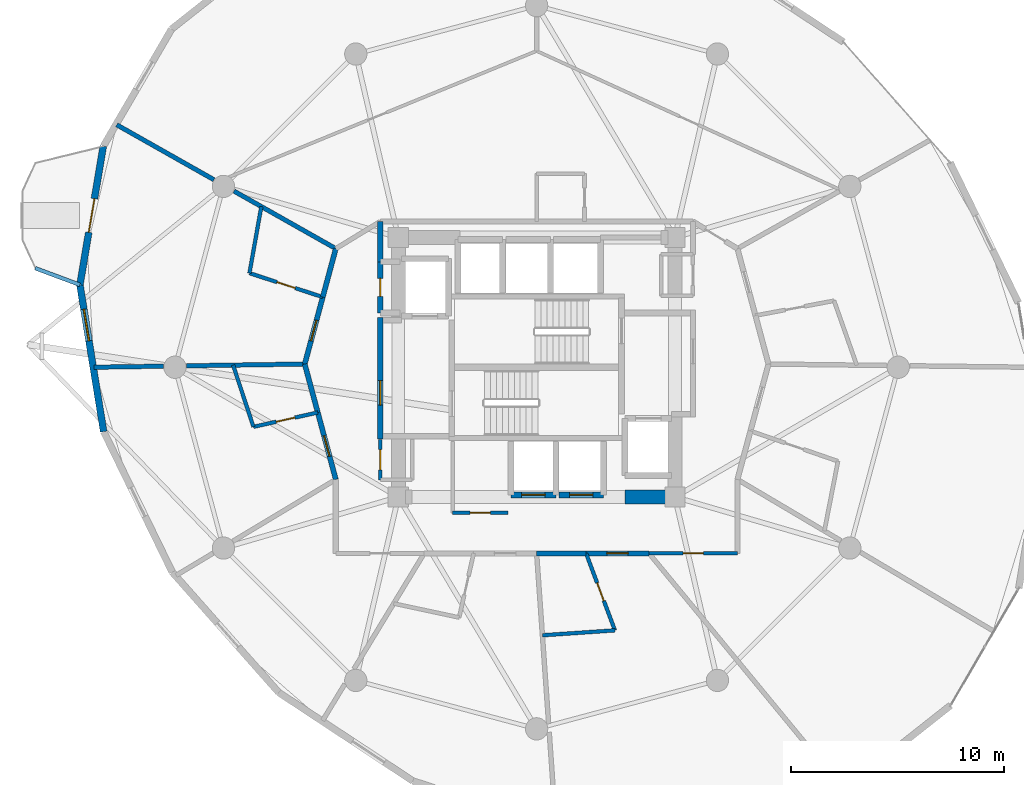
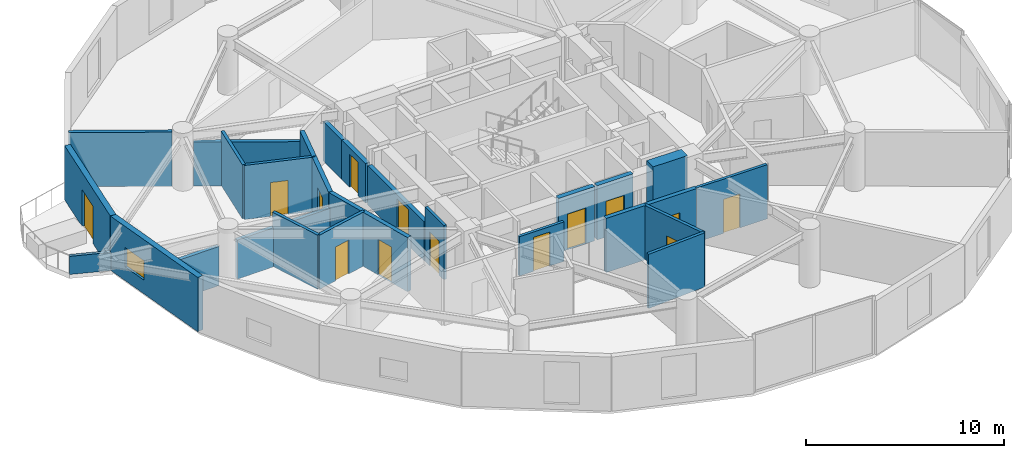
# One storey, part 15 of 20: 28 walls, 14 doors, 1 window, 15 openings.
"""IFC4 building model written with IfcOpenShell, lengths in metres."""

from ifc_helpers import new_model, si_unit, direction, frame, frame_2d, origin, place, context, subcontext, project, spatial, rectangle, extrude, material, layer, layer_set, type_object, element, fill, save


model = new_model("IFC4")

# Units and contexts
model_context = context("Model", 3, precision=1e-05, world=origin(), true_north=direction((0.0, 1.0)))
body_context = subcontext(model_context, "Body", "Model", "MODEL_VIEW")
ifc_project = project(units=[si_unit("LENGTHUNIT", "METRE"), si_unit("AREAUNIT", "SQUARE_METRE"), si_unit("VOLUMEUNIT", "CUBIC_METRE"), si_unit("PLANEANGLEUNIT", "RADIAN"), si_unit("MASSUNIT", "GRAM", prefix="KILO")], contexts=[model_context])

# Site, building, storey
site_placement = place(None, origin())
site = spatial("IfcSite", under=ifc_project, at=site_placement, CompositionType="ELEMENT")
building_placement = place(site_placement, origin())
building = spatial("IfcBuilding", under=site, at=building_placement, Name="Solvirekh Grand Hotel", CompositionType="ELEMENT")
storey_placement = place(building_placement, frame((0.0, 0.0, 135.0)))
storey = spatial("IfcBuildingStorey", under=building, at=storey_placement, Name="L34", CompositionType="ELEMENT", Elevation=135.0)

# Wall, opening, door
ifc_material_1 = material(Name="Concrete C40/50", Category="concrete")
ifc_layer_1 = layer(ifc_material_1, 0.280029296875)
ifc_layer_set_1 = layer_set([ifc_layer_1], Name="Concrete C40/50")
wall_type_1 = type_object("IfcWallType", Name="CoreShaftWall_RC280", PredefinedType="SOLIDWALL", material=ifc_layer_set_1)
wall_1_placement = place(storey_placement, frame((-1.199951171875, -6.0, 0.0), z_axis=(0.0, 0.0, 1.0), x_axis=(1.0, 0.0, 0.0)))
wall_1 = element("IfcWall", 1, at=wall_1_placement, inside=storey, type_object=wall_type_1, Name="L34 MP-1 hoistway S wall", PredefinedType="SOLIDWALL", context=body_context, shape_type="SweptSolid", body=[
    extrude(rectangle(XDim=2.099853515625, YDim=0.280029296875, at=frame_2d((1.0498046875, 0.0))), origin(), (0.0, 0.0, 1.0), 3.35009765625),
])
opening_1_placement = place(wall_1_placement, frame((0.5, 0.0, 0.0)))
opening_1 = element("IfcOpeningElement", 2, at=opening_1_placement, cuts=wall_1, Name="Opening LD01", PredefinedType="OPENING", context=body_context, shape_type="SweptSolid", body=[
    extrude(rectangle(XDim=1.10009765625, YDim=2.199951171875, at=frame_2d((0.550048828125, 1.10009765625))), frame((0.0, 0.14990234375, 0.0), z_axis=(0.0, -1.0, 0.0), x_axis=(1.0, 0.0, 0.0)), (0.0, 0.0, 1.0), 0.300048828125),
])
ifc_material_2 = material(Name="Fire-Rated Steel Door Assembly", Category="steel")
door_type_1 = type_object("IfcDoorType", Name="Door_LiftLanding_1100X2200", OperationType="SLIDING_TO_LEFT", PredefinedType="DOOR", material=ifc_material_2)
door_1_placement = place(opening_1_placement, origin())
door_1 = element("IfcDoor", 3, at=door_1_placement, inside=storey, type_object=door_type_1, Name="L34 MP-1 sliding lift landing door", OperationType="SLIDING_TO_LEFT", OverallHeight=2.199951171875, OverallWidth=1.10009765625, PredefinedType="DOOR", context=body_context, shape_type="SweptSolid", body=[
    extrude(rectangle(XDim=1.10009765625, YDim=2.199951171875, at=frame_2d((0.550048828125, 1.10009765625))), frame((0.0, 0.02490234375, 0.0), z_axis=(0.0, -1.0, 0.0), x_axis=(1.0, 0.0, 0.0)), (0.0, 0.0, 1.0), 0.050048828125),
])
fill(opening_1, door_1)

wall_2_placement = place(storey_placement, frame((1.050048828125, -6.0, 0.0), z_axis=(0.0, 0.0, 1.0), x_axis=(1.0, 0.0, 0.0)))
wall_2 = element("IfcWall", 4, at=wall_2_placement, inside=storey, type_object=wall_type_1, Name="L34 MP-2 hoistway S wall", PredefinedType="SOLIDWALL", context=body_context, shape_type="SweptSolid", body=[
    extrude(rectangle(XDim=2.099853515625, YDim=0.280029296875, at=frame_2d((1.0498046875, 0.0))), origin(), (0.0, 0.0, 1.0), 3.35009765625),
])
opening_2_placement = place(wall_2_placement, frame((0.5, 0.0, 0.0)))
opening_2 = element("IfcOpeningElement", 5, at=opening_2_placement, cuts=wall_2, Name="Opening LD01", PredefinedType="OPENING", context=body_context, shape_type="SweptSolid", body=[
    extrude(rectangle(XDim=1.10009765625, YDim=2.199951171875, at=frame_2d((0.550048828125, 1.10009765625))), frame((0.0, 0.14990234375, 0.0), z_axis=(0.0, -1.0, 0.0), x_axis=(1.0, 0.0, 0.0)), (0.0, 0.0, 1.0), 0.300048828125),
])
door_2_placement = place(opening_2_placement, origin())
door_2 = element("IfcDoor", 6, at=door_2_placement, inside=storey, type_object=door_type_1, Name="L34 MP-2 sliding lift landing door", OperationType="SLIDING_TO_LEFT", OverallHeight=2.199951171875, OverallWidth=1.10009765625, PredefinedType="DOOR", context=body_context, shape_type="SweptSolid", body=[
    extrude(rectangle(XDim=1.10009765625, YDim=2.199951171875, at=frame_2d((0.550048828125, 1.10009765625))), frame((0.0, 0.02490234375, 0.0), z_axis=(0.0, -1.0, 0.0), x_axis=(1.0, 0.0, 0.0)), (0.0, 0.0, 1.0), 0.050048828125),
])
fill(opening_2, door_2)

# Wall
ifc_material_3 = material(Name="Concrete C50/60", Category="concrete")
ifc_layer_2 = layer(ifc_material_3, 0.64990234375)
ifc_layer_set_2 = layer_set([ifc_layer_2], Name="Concrete C50/60")
wall_type_2 = type_object("IfcWallType", Name="CoreWall_RC650", PredefinedType="SHEAR", material=ifc_layer_set_2)
wall_3_placement = place(storey_placement, frame((4.14990234375, -6.10009765625, 0.0), z_axis=(0.0, 0.0, 1.0), x_axis=(1.0, 0.0, 0.0)))
element("IfcWall", 7, at=wall_3_placement, inside=storey, type_object=wall_type_2, Name="L34 core corner shear wall SE-S", PredefinedType="SHEAR", context=body_context, shape_type="SweptSolid", body=[
    extrude(rectangle(XDim=2.025146484375, YDim=0.64990234375, at=frame_2d((1.0126953125, 0.0))), origin(), (0.0, 0.0, 1.0), 3.60009765625),
])

# Wall, opening, door
ifc_material_4 = material(Name="Precast concrete C45/55", Category="concrete")
ifc_layer_3 = layer(ifc_material_4, 0.320068359375)
ifc_layer_set_3 = layer_set([ifc_layer_3], Name="Precast concrete C45/55")
wall_type_3 = type_object("IfcWallType", Name="ExtLobbyWall_RC320", PredefinedType="SOLIDWALL", material=ifc_layer_set_3)
wall_4_placement = place(storey_placement, frame((-21.468017578125, 3.8720703125, 0.0), z_axis=(0.0, 0.0, 1.0), x_axis=(0.166206715806, 0.986090932734, 0.0)))
wall_4 = element("IfcWall", 8, at=wall_4_placement, inside=storey, type_object=wall_type_3, Name="L34 exterior structural wall chord 12", PredefinedType="SOLIDWALL", context=body_context, shape_type="SweptSolid", body=[
    extrude(rectangle(XDim=6.613037109375, YDim=0.320068359375, at=frame_2d((3.306640625, 0.0))), origin(), (0.0, 0.0, 1.0), 3.35009765625),
])
opening_3_placement = place(wall_4_placement, frame((2.506103515625, 0.0, 0.0)))
opening_3 = element("IfcOpeningElement", 9, at=opening_3_placement, cuts=wall_4, Name="Opening D04", PredefinedType="OPENING", context=body_context, shape_type="SweptSolid", body=[
    extrude(rectangle(XDim=1.60009765625, YDim=2.300048828125, at=frame_2d((0.800048828125, 1.14990234375))), frame((0.0, 0.169921875, 0.0), z_axis=(0.0, -1.0, 0.0), x_axis=(1.0, 0.0, 0.0)), (0.0, 0.0, 1.0), 0.340087890625),
])
ifc_material_5 = material(Name="Anodized Bronze Aluminium 6063-T6", Category="aluminium")
door_type_2 = type_object("IfcDoorType", Name="Door_ExtTerrace_1600X2300", OperationType="NOTDEFINED", PredefinedType="DOOR", material=ifc_material_5)
door_3_placement = place(opening_3_placement, origin())
door_3 = element("IfcDoor", 10, at=door_3_placement, inside=storey, type_object=door_type_2, Name="L34 West horn sky-garden terrace door (12)", OperationType="SINGLE_SWING_LEFT", OverallHeight=2.300048828125, OverallWidth=1.60009765625, PredefinedType="DOOR", context=body_context, shape_type="SweptSolid", body=[
    extrude(rectangle(XDim=1.60009765625, YDim=2.300048828125, at=frame_2d((0.800048828125, 1.14990234375))), frame((0.0, 0.02490234375, 0.0), z_axis=(0.0, -1.0, 0.0), x_axis=(1.0, 0.0, 0.0)), (0.0, 0.0, 1.0), 0.050048828125),
])
fill(opening_3, door_3)

# Wall, opening, window
wall_5_placement = place(storey_placement, frame((-20.35302734375, -3.028076171875, 0.0), z_axis=(0.0, 0.0, 1.0), x_axis=(-0.159520152435, 0.987194672274, 0.0)))
wall_5 = element("IfcWall", 11, at=wall_5_placement, inside=storey, type_object=wall_type_3, Name="L34 cantilevered deck support wall chord 13", PredefinedType="SOLIDWALL", context=body_context, shape_type="SweptSolid", body=[
    extrude(rectangle(XDim=6.98974609375, YDim=0.320068359375, at=frame_2d((3.494873046875, 0.0))), origin(), (0.0, 0.0, 1.0), 3.35009765625),
])
opening_4_placement = place(wall_5_placement, frame((4.324951171875, 0.0, 0.85009765625)))
opening_4 = element("IfcOpeningElement", 12, at=opening_4_placement, cuts=wall_5, Name="Opening W05", PredefinedType="OPENING", context=body_context, shape_type="SweptSolid", body=[
    extrude(rectangle(XDim=1.5, YDim=1.199951171875, at=frame_2d((0.75, 0.60009765625))), frame((0.0, 0.169921875, 0.0), z_axis=(0.0, -1.0, 0.0), x_axis=(1.0, 0.0, 0.0)), (0.0, 0.0, 1.0), 0.340087890625),
])
ifc_material_6 = material(Name="Low-E Tinted Bronze Laminated Glass", Category="aluminium")
window_type = type_object("IfcWindowType", Name="Win_PlantVent_1500X1200", PartitioningType="SINGLE_PANEL", PredefinedType="WINDOW", material=ifc_material_6)
window_placement = place(opening_4_placement, origin())
window = element("IfcWindow", 13, at=window_placement, inside=storey, type_object=window_type, Name="L34 bronze-framed vision ribbon window 13", OverallHeight=1.199951171875, OverallWidth=1.5, PartitioningType="SINGLE_PANEL", PredefinedType="WINDOW", context=body_context, shape_type="SweptSolid", body=[
    extrude(rectangle(XDim=1.5, YDim=1.199951171875, at=frame_2d((0.75, 0.60009765625))), frame((0.0, 0.030029296875, 0.0), z_axis=(0.0, -1.0, 0.0), x_axis=(1.0, 0.0, 0.0)), (0.0, 0.0, 1.0), 0.06005859375),
])
fill(opening_4, window)

# Wall
ifc_layer_4 = layer(ifc_material_4, 0.179931640625)
ifc_layer_set_4 = layer_set([ifc_layer_4], Name="Precast concrete C45/55")
wall_type_4 = type_object("IfcWallType", Name="ExtPlanterWall_180", PredefinedType="PARAPET", material=ifc_layer_set_4)
wall_6_placement = place(storey_placement, frame((-23.568115234375, 4.655029296875, 0.0), z_axis=(0.0, 0.0, 1.0), x_axis=(0.93699893961, -0.349332201736, 0.0)))
element("IfcWall", 14, at=wall_6_placement, inside=storey, type_object=wall_type_4, Name="L34 horn sky-garden planter parapet", PredefinedType="PARAPET", context=body_context, shape_type="SweptSolid", body=[
    extrude(rectangle(XDim=2.2412109375, YDim=0.179931640625, at=frame_2d((1.12060546875, 0.0))), origin(), (0.0, 0.0, 1.0), 1.1201171875),
])

# Wall, opening, door
ifc_material_7 = material(Name="Acoustic Gypsum Partition Assembly")
ifc_layer_5 = layer(ifc_material_7, 0.1650390625)
ifc_layer_set_5 = layer_set([ifc_layer_5], Name="Acoustic Gypsum Partition Assembly")
wall_type_5 = type_object("IfcWallType", Name="Part_BOH_165", PredefinedType="PARTITIONING", material=ifc_layer_set_5)
wall_7_placement = place(storey_placement, frame((-7.35009765625, -3.39990234375, 0.0), z_axis=(0.0, 0.0, 1.0), x_axis=(0.0, -1.0, 0.0)))
wall_7 = element("IfcWall", 15, at=wall_7_placement, inside=storey, type_object=wall_type_5, Name="L34 L34 Butler Service Closet wall 4", PredefinedType="PARTITIONING", context=body_context, shape_type="SweptSolid", body=[
    extrude(rectangle(XDim=1.900146484375, YDim=0.1650390625, at=frame_2d((0.9501953125, 0.0))), origin(), (0.0, 0.0, 1.0), 3.35009765625),
])
opening_5_placement = place(wall_7_placement, frame((0.47509765625, 0.0, 0.0)))
opening_5 = element("IfcOpeningElement", 16, at=opening_5_placement, cuts=wall_7, Name="Opening D10", PredefinedType="OPENING", context=body_context, shape_type="SweptSolid", body=[
    extrude(rectangle(XDim=0.949951171875, YDim=2.10009765625, at=frame_2d((0.47509765625, 1.050048828125))), frame((0.0, 0.092529296875, 0.0), z_axis=(0.0, -1.0, 0.0), x_axis=(1.0, 0.0, 0.0)), (0.0, 0.0, 1.0), 0.18505859375),
])
door_type_3 = type_object("IfcDoorType", Name="Door_RoomInt_950X2100", OperationType="NOTDEFINED", PredefinedType="DOOR", material=ifc_material_5)
door_4_placement = place(opening_5_placement, origin())
door_4 = element("IfcDoor", 17, at=door_4_placement, inside=storey, type_object=door_type_3, Name="L34 L34 Butler Service Closet door", OperationType="SINGLE_SWING_LEFT", OverallHeight=2.10009765625, OverallWidth=0.949951171875, PredefinedType="DOOR", context=body_context, shape_type="SweptSolid", body=[
    extrude(rectangle(XDim=0.949951171875, YDim=2.10009765625, at=frame_2d((0.47509765625, 1.050048828125))), frame((0.0, 0.02490234375, 0.0), z_axis=(0.0, -1.0, 0.0), x_axis=(1.0, 0.0, 0.0)), (0.0, 0.0, 1.0), 0.050048828125),
])
fill(opening_5, door_4)

wall_8_placement = place(storey_placement, frame((-3.949951171875, -6.85009765625, 0.0), z_axis=(0.0, 0.0, 1.0), x_axis=(1.0, 0.0, 0.0)))
wall_8 = element("IfcWall", 18, at=wall_8_placement, inside=storey, type_object=wall_type_5, Name="L34 Mid-Zone Housekeeping Room wall 1", PredefinedType="PARTITIONING", context=body_context, shape_type="SweptSolid", body=[
    extrude(rectangle(XDim=2.599853515625, YDim=0.1650390625, at=frame_2d((1.2998046875, 0.0))), origin(), (0.0, 0.0, 1.0), 2.43505859375),
])
opening_6_placement = place(wall_8_placement, frame((0.824951171875, 0.0, 0.0)))
opening_6 = element("IfcOpeningElement", 19, at=opening_6_placement, cuts=wall_8, Name="Opening D10", PredefinedType="OPENING", context=body_context, shape_type="SweptSolid", body=[
    extrude(rectangle(XDim=0.949951171875, YDim=2.10009765625, at=frame_2d((0.47509765625, 1.050048828125))), frame((0.0, 0.092529296875, 0.0), z_axis=(0.0, -1.0, 0.0), x_axis=(1.0, 0.0, 0.0)), (0.0, 0.0, 1.0), 0.18505859375),
])
door_5_placement = place(opening_6_placement, origin())
door_5 = element("IfcDoor", 20, at=door_5_placement, inside=storey, type_object=door_type_3, Name="L34 Mid-Zone Housekeeping Room door", OperationType="SINGLE_SWING_LEFT", OverallHeight=2.10009765625, OverallWidth=0.949951171875, PredefinedType="DOOR", context=body_context, shape_type="SweptSolid", body=[
    extrude(rectangle(XDim=0.949951171875, YDim=2.10009765625, at=frame_2d((0.47509765625, 1.050048828125))), frame((0.0, 0.02490234375, 0.0), z_axis=(0.0, -1.0, 0.0), x_axis=(1.0, 0.0, 0.0)), (0.0, 0.0, 1.0), 0.050048828125),
])
fill(opening_6, door_5)

wall_9_placement = place(storey_placement, frame((5.285888671875, -8.75, 0.0), z_axis=(0.0, 0.0, 1.0), x_axis=(1.0, 0.0, 0.0)))
wall_9 = element("IfcWall", 21, at=wall_9_placement, inside=storey, type_object=wall_type_5, Name="L34 L34 Butler Valet & Linen Steward Room entrance wall", PredefinedType="PARTITIONING", context=body_context, shape_type="SweptSolid", body=[
    extrude(rectangle(XDim=4.154052734375, YDim=0.1650390625, at=frame_2d((2.0771484375, 0.0))), origin(), (0.0, 0.0, 1.0), 3.35009765625),
])
opening_7_placement = place(wall_9_placement, frame((1.60205078125, 0.0, 0.0)))
opening_7 = element("IfcOpeningElement", 22, at=opening_7_placement, cuts=wall_9, Name="Opening D10", PredefinedType="OPENING", context=body_context, shape_type="SweptSolid", body=[
    extrude(rectangle(XDim=0.949951171875, YDim=2.10009765625, at=frame_2d((0.47509765625, 1.050048828125))), frame((0.0, 0.092529296875, 0.0), z_axis=(0.0, -1.0, 0.0), x_axis=(1.0, 0.0, 0.0)), (0.0, 0.0, 1.0), 0.18505859375),
])
door_6_placement = place(opening_7_placement, origin())
door_6 = element("IfcDoor", 23, at=door_6_placement, inside=storey, type_object=door_type_3, Name="L34 L34 Butler Valet & Linen Steward Room entrance door", OperationType="SINGLE_SWING_LEFT", OverallHeight=2.10009765625, OverallWidth=0.949951171875, PredefinedType="DOOR", context=body_context, shape_type="SweptSolid", body=[
    extrude(rectangle(XDim=0.949951171875, YDim=2.10009765625, at=frame_2d((0.47509765625, 1.050048828125))), frame((0.0, 0.02490234375, 0.0), z_axis=(0.0, -1.0, 0.0), x_axis=(1.0, 0.0, 0.0)), (0.0, 0.0, 1.0), 0.050048828125),
])
fill(opening_7, door_6)

ifc_layer_6 = layer(ifc_material_7, 0.239990234375)
ifc_layer_set_6 = layer_set([ifc_layer_6], Name="Acoustic Gypsum Partition Assembly")
wall_type_6 = type_object("IfcWallType", Name="Part_Corridor_240", PredefinedType="PARTITIONING", material=ifc_layer_set_6)
wall_10_placement = place(storey_placement, frame((-7.35009765625, -3.3798828125, 0.0), z_axis=(0.0, 0.0, 1.0), x_axis=(0.0, 1.0, 0.0)))
wall_10 = element("IfcWall", 24, at=wall_10_placement, inside=storey, type_object=wall_type_6, Name="L34 west firefighting lobby smoke screen wall", PredefinedType="PARTITIONING", context=body_context, shape_type="SweptSolid", body=[
    extrude(rectangle(XDim=5.719970703125, YDim=0.239990234375, at=frame_2d((2.85986328125, 0.0))), origin(), (0.0, 0.0, 1.0), 2.43505859375),
])
opening_8_placement = place(wall_10_placement, frame((1.59912109375, 0.0, 0.0)))
opening_8 = element("IfcOpeningElement", 25, at=opening_8_placement, cuts=wall_10, Name="Opening D06", PredefinedType="OPENING", context=body_context, shape_type="SweptSolid", body=[
    extrude(rectangle(XDim=1.14990234375, YDim=2.199951171875, at=frame_2d((0.574951171875, 1.10009765625))), frame((0.0, 0.1298828125, 0.0), z_axis=(0.0, -1.0, 0.0), x_axis=(1.0, 0.0, 0.0)), (0.0, 0.0, 1.0), 0.260009765625),
])
door_type_4 = type_object("IfcDoorType", Name="Door_FFLobby_1150X2200", OperationType="NOTDEFINED", PredefinedType="DOOR", material=ifc_material_2)
door_7_placement = place(opening_8_placement, origin())
door_7 = element("IfcDoor", 26, at=door_7_placement, inside=storey, type_object=door_type_4, Name="L34 west firefighting lobby smoke door", OperationType="SINGLE_SWING_RIGHT", OverallHeight=2.199951171875, OverallWidth=1.14990234375, PredefinedType="DOOR", context=body_context, shape_type="SweptSolid", body=[
    extrude(rectangle(XDim=1.14990234375, YDim=2.199951171875, at=frame_2d((0.574951171875, 1.10009765625))), frame((0.0, 0.02490234375, 0.0), z_axis=(0.0, -1.0, 0.0), x_axis=(1.0, 0.0, 0.0)), (0.0, 0.0, 1.0), 0.050048828125),
])
fill(opening_8, door_7)

# Walls
wall_11_placement = place(storey_placement, frame((-7.35009765625, 4.949951171875, 0.0), z_axis=(0.0, 0.0, 1.0), x_axis=(0.0, 1.0, 0.0)))
element("IfcWall", 27, at=wall_11_placement, inside=storey, type_object=wall_type_6, Name="L34 NW core cheek closure wall", PredefinedType="PARTITIONING", context=body_context, shape_type="SweptSolid", body=[
    extrude(rectangle(XDim=1.900146484375, YDim=0.239990234375, at=frame_2d((0.9501953125, 0.0))), origin(), (0.0, 0.0, 1.0), 2.43505859375),
])
wall_12_placement = place(storey_placement, frame((-9.43994140625, 5.574951171875, 0.0), z_axis=(0.0, 0.0, 1.0), x_axis=(-0.25988439237, -0.965639737481, 0.0)))
element("IfcWall", 28, at=wall_12_placement, inside=storey, type_object=wall_type_6, Name="L34 En-suite Bathroom 3602 corridor backing wall", PredefinedType="PARTITIONING", context=body_context, shape_type="SweptSolid", body=[
    extrude(rectangle(XDim=2.35888671875, YDim=0.239990234375, at=frame_2d((1.179443359375, 0.0))), origin(), (0.0, 0.0, 1.0), 3.35009765625),
])

# Wall, opening, door
wall_13_placement = place(storey_placement, frame((-10.052978515625, 3.297119140625, 0.0), z_axis=(0.0, 0.0, 1.0), x_axis=(-0.25985795735, -0.965646851598, 0.0)))
wall_13 = element("IfcWall", 29, at=wall_13_placement, inside=storey, type_object=wall_type_6, Name="L34 Deluxe Guestroom 3602 entrance wall", PredefinedType="PARTITIONING", context=body_context, shape_type="SweptSolid", body=[
    extrude(rectangle(XDim=3.25927734375, YDim=0.239990234375, at=frame_2d((1.629638671875, 0.0))), origin(), (0.0, 0.0, 1.0), 3.35009765625),
])
opening_9_placement = place(wall_13_placement, frame((1.12890625, 0.0, 0.0)))
opening_9 = element("IfcOpeningElement", 30, at=opening_9_placement, cuts=wall_13, Name="Opening D07", PredefinedType="OPENING", context=body_context, shape_type="SweptSolid", body=[
    extrude(rectangle(XDim=1.0, YDim=2.199951171875, at=frame_2d((0.5, 1.10009765625))), frame((0.0, 0.1298828125, 0.0), z_axis=(0.0, -1.0, 0.0), x_axis=(1.0, 0.0, 0.0)), (0.0, 0.0, 1.0), 0.260009765625),
])
door_type_5 = type_object("IfcDoorType", Name="Door_GuestEntry_1000X2200", OperationType="NOTDEFINED", PredefinedType="DOOR", material=ifc_material_2)
door_8_placement = place(opening_9_placement, origin())
door_8 = element("IfcDoor", 31, at=door_8_placement, inside=storey, type_object=door_type_5, Name="L34 Deluxe Guestroom 3602 entrance door", OperationType="SINGLE_SWING_LEFT", OverallHeight=2.199951171875, OverallWidth=1.0, PredefinedType="DOOR", context=body_context, shape_type="SweptSolid", body=[
    extrude(rectangle(XDim=1.0, YDim=2.199951171875, at=frame_2d((0.5, 1.10009765625))), frame((0.0, 0.02490234375, 0.0), z_axis=(0.0, -1.0, 0.0), x_axis=(1.0, 0.0, 0.0)), (0.0, 0.0, 1.0), 0.050048828125),
])
fill(opening_9, door_8)

# Wall
wall_14_placement = place(storey_placement, frame((-10.89990234375, 0.14990234375, 0.0), z_axis=(0.0, 0.0, 1.0), x_axis=(0.259684059781, -0.965693631073, 0.0)))
element("IfcWall", 32, at=wall_14_placement, inside=storey, type_object=wall_type_6, Name="L34 En-suite Bathroom 3603 corridor backing wall", PredefinedType="PARTITIONING", context=body_context, shape_type="SweptSolid", body=[
    extrude(rectangle(XDim=2.35986328125, YDim=0.239990234375, at=frame_2d((1.179931640625, 0.0))), origin(), (0.0, 0.0, 1.0), 3.35009765625),
])

# Wall, opening, door
wall_15_placement = place(storey_placement, frame((-10.287109375, -2.12890625, 0.0), z_axis=(0.0, 0.0, 1.0), x_axis=(0.260021844471, -0.965602734253, 0.0)))
wall_15 = element("IfcWall", 33, at=wall_15_placement, inside=storey, type_object=wall_type_6, Name="L34 Deluxe Guestroom 3603 entrance wall", PredefinedType="PARTITIONING", context=body_context, shape_type="SweptSolid", body=[
    extrude(rectangle(XDim=3.258056640625, YDim=0.239990234375, at=frame_2d((1.62890625, 0.0))), origin(), (0.0, 0.0, 1.0), 3.35009765625),
])
opening_10_placement = place(wall_15_placement, frame((1.12890625, 0.0, 0.0)))
opening_10 = element("IfcOpeningElement", 34, at=opening_10_placement, cuts=wall_15, Name="Opening D07", PredefinedType="OPENING", context=body_context, shape_type="SweptSolid", body=[
    extrude(rectangle(XDim=1.0, YDim=2.199951171875, at=frame_2d((0.5, 1.10009765625))), frame((0.0, 0.1298828125, 0.0), z_axis=(0.0, -1.0, 0.0), x_axis=(1.0, 0.0, 0.0)), (0.0, 0.0, 1.0), 0.260009765625),
])
door_9_placement = place(opening_10_placement, origin())
door_9 = element("IfcDoor", 35, at=door_9_placement, inside=storey, type_object=door_type_5, Name="L34 Deluxe Guestroom 3603 entrance door", OperationType="SINGLE_SWING_LEFT", OverallHeight=2.199951171875, OverallWidth=1.0, PredefinedType="DOOR", context=body_context, shape_type="SweptSolid", body=[
    extrude(rectangle(XDim=1.0, YDim=2.199951171875, at=frame_2d((0.5, 1.10009765625))), frame((0.0, 0.02490234375, 0.0), z_axis=(0.0, -1.0, 0.0), x_axis=(1.0, 0.0, 0.0)), (0.0, 0.0, 1.0), 0.050048828125),
])
fill(opening_10, door_9)

# Wall
wall_16_placement = place(storey_placement, frame((0.0, -8.75, 0.0), z_axis=(0.0, 0.0, 1.0), x_axis=(1.0, 0.0, 0.0)))
element("IfcWall", 36, at=wall_16_placement, inside=storey, type_object=wall_type_6, Name="L34 En-suite Bathroom 3607 corridor backing wall", PredefinedType="PARTITIONING", context=body_context, shape_type="SweptSolid", body=[
    extrude(rectangle(XDim=2.325927734375, YDim=0.239990234375, at=frame_2d((1.1630859375, 0.0))), origin(), (0.0, 0.0, 1.0), 3.35009765625),
])

# Wall, opening, door
wall_17_placement = place(storey_placement, frame((2.325927734375, -8.75, 0.0), z_axis=(0.0, 0.0, 1.0), x_axis=(1.0, 0.0, 0.0)))
wall_17 = element("IfcWall", 37, at=wall_17_placement, inside=storey, type_object=wall_type_6, Name="L34 Deluxe Guestroom 3607 entrance wall", PredefinedType="PARTITIONING", context=body_context, shape_type="SweptSolid", body=[
    extrude(rectangle(XDim=2.9599609375, YDim=0.239990234375, at=frame_2d((1.47998046875, 0.0))), origin(), (0.0, 0.0, 1.0), 3.35009765625),
])
opening_11_placement = place(wall_17_placement, frame((0.97998046875, 0.0, 0.0)))
opening_11 = element("IfcOpeningElement", 38, at=opening_11_placement, cuts=wall_17, Name="Opening D07", PredefinedType="OPENING", context=body_context, shape_type="SweptSolid", body=[
    extrude(rectangle(XDim=1.0, YDim=2.199951171875, at=frame_2d((0.5, 1.10009765625))), frame((0.0, 0.1298828125, 0.0), z_axis=(0.0, -1.0, 0.0), x_axis=(1.0, 0.0, 0.0)), (0.0, 0.0, 1.0), 0.260009765625),
])
door_10_placement = place(opening_11_placement, origin())
door_10 = element("IfcDoor", 39, at=door_10_placement, inside=storey, type_object=door_type_5, Name="L34 Deluxe Guestroom 3607 entrance door", OperationType="SINGLE_SWING_RIGHT", OverallHeight=2.199951171875, OverallWidth=1.0, PredefinedType="DOOR", context=body_context, shape_type="SweptSolid", body=[
    extrude(rectangle(XDim=1.0, YDim=2.199951171875, at=frame_2d((0.5, 1.10009765625))), frame((0.0, 0.02490234375, 0.0), z_axis=(0.0, -1.0, 0.0), x_axis=(1.0, 0.0, 0.0)), (0.0, 0.0, 1.0), 0.050048828125),
])
fill(opening_11, door_10)

ifc_layer_7 = layer(ifc_material_7, 0.260009765625)
ifc_layer_set_7 = layer_set([ifc_layer_7], Name="Acoustic Gypsum Partition Assembly")
wall_type_7 = type_object("IfcWallType", Name="Part_LobbyFF_260", PredefinedType="PARTITIONING", material=ifc_layer_set_7)
wall_18_placement = place(storey_placement, frame((-7.35009765625, 2.550048828125, 0.0), z_axis=(0.0, 0.0, 1.0), x_axis=(0.0, 1.0, 0.0)))
wall_18 = element("IfcWall", 40, at=wall_18_placement, inside=storey, type_object=wall_type_7, Name="L34 NW telecom metering cupboard access wall", PredefinedType="PARTITIONING", context=body_context, shape_type="SweptSolid", body=[
    extrude(rectangle(XDim=2.39990234375, YDim=0.260009765625, at=frame_2d((1.199951171875, 0.0))), origin(), (0.0, 0.0, 1.0), 2.43505859375),
])
opening_12_placement = place(wall_18_placement, frame((0.77490234375, 0.0, 0.0)))
opening_12 = element("IfcOpeningElement", 41, at=opening_12_placement, cuts=wall_18, Name="Opening D13", PredefinedType="OPENING", context=body_context, shape_type="SweptSolid", body=[
    extrude(rectangle(XDim=0.85009765625, YDim=2.050048828125, at=frame_2d((0.425048828125, 1.02490234375))), frame((0.0, 0.14013671875, 0.0), z_axis=(0.0, -1.0, 0.0), x_axis=(1.0, 0.0, 0.0)), (0.0, 0.0, 1.0), 0.280029296875),
])
door_type_6 = type_object("IfcDoorType", Name="Door_RiserShaft_850X2050", OperationType="NOTDEFINED", PredefinedType="DOOR", material=ifc_material_2)
door_11_placement = place(opening_12_placement, origin())
door_11 = element("IfcDoor", 42, at=door_11_placement, inside=storey, type_object=door_type_6, Name="L34 telecom metering cupboard access door", OperationType="SINGLE_SWING_RIGHT", OverallHeight=2.050048828125, OverallWidth=0.85009765625, PredefinedType="DOOR", context=body_context, shape_type="SweptSolid", body=[
    extrude(rectangle(XDim=0.85009765625, YDim=2.050048828125, at=frame_2d((0.425048828125, 1.02490234375))), frame((0.0, 0.02490234375, 0.0), z_axis=(0.0, -1.0, 0.0), x_axis=(1.0, 0.0, 0.0)), (0.0, 0.0, 1.0), 0.050048828125),
])
fill(opening_12, door_11)

# Walls
ifc_layer_8 = layer(ifc_material_7, 0.2099609375)
ifc_layer_set_8 = layer_set([ifc_layer_8], Name="Acoustic Gypsum Partition Assembly")
wall_type_8 = type_object("IfcWallType", Name="Part_SuiteDemise_210", PredefinedType="PARTITIONING", material=ifc_layer_set_8)
wall_19_placement = place(storey_placement, frame((-9.43994140625, 5.574951171875, 0.0), z_axis=(0.0, 0.0, 1.0), x_axis=(-0.87056283872, 0.492057256668, 0.0)))
element("IfcWall", 43, at=wall_19_placement, inside=storey, type_object=wall_type_8, Name="L34 suite radial wall 6 (A)", PredefinedType="PARTITIONING", context=body_context, shape_type="SweptSolid", body=[
    extrude(rectangle(XDim=5.49560546875, YDim=0.2099609375, at=frame_2d((2.747802734375, 0.0))), origin(), (0.0, 0.0, 1.0), 2.717041015625),
])
wall_20_placement = place(storey_placement, frame((-15.16796875, 8.81298828125, 0.0), z_axis=(0.0, 0.0, 1.0), x_axis=(-0.870568901918, 0.492046529317, 0.0)))
element("IfcWall", 44, at=wall_20_placement, inside=storey, type_object=wall_type_8, Name="L34 suite radial wall 6 (B)", PredefinedType="PARTITIONING", context=body_context, shape_type="SweptSolid", body=[
    extrude(rectangle(XDim=5.24951171875, YDim=0.2099609375, at=frame_2d((2.624755859375, 0.0))), origin(), (0.0, 0.0, 1.0), 3.35009765625),
])
wall_21_placement = place(storey_placement, frame((-10.89990234375, 0.14990234375, 0.0), z_axis=(0.0, 0.0, 1.0), x_axis=(-0.999885899777, -0.015105873936, 0.0)))
element("IfcWall", 45, at=wall_21_placement, inside=storey, type_object=wall_type_8, Name="L34 suite radial wall 7 (A)", PredefinedType="PARTITIONING", context=body_context, shape_type="SweptSolid", body=[
    extrude(rectangle(XDim=5.559814453125, YDim=0.2099609375, at=frame_2d((2.77978515625, 0.0))), origin(), (0.0, 0.0, 1.0), 2.4189453125),
])
wall_22_placement = place(storey_placement, frame((-17.54296875, 0.049072265625, 0.0), z_axis=(0.0, 0.0, 1.0), x_axis=(-0.999886658015, -0.015055601038, 0.0)))
element("IfcWall", 46, at=wall_22_placement, inside=storey, type_object=wall_type_8, Name="L34 suite radial wall 7 (B)", PredefinedType="PARTITIONING", context=body_context, shape_type="SweptSolid", body=[
    extrude(rectangle(XDim=3.259521484375, YDim=0.2099609375, at=frame_2d((1.6298828125, 0.0))), origin(), (0.0, 0.0, 1.0), 2.4189453125),
])
ifc_layer_9 = layer(ifc_material_7, 0.175048828125)
ifc_layer_set_9 = layer_set([ifc_layer_9], Name="Acoustic Gypsum Partition Assembly")
wall_type_9 = type_object("IfcWallType", Name="Plumb_Ensuite_175", PredefinedType="PLUMBINGWALL", material=ifc_layer_set_9)
wall_23_placement = place(storey_placement, frame((-12.94091796875, 7.553955078125, 0.0), z_axis=(0.0, 0.0, 1.0), x_axis=(-0.175195404058, -0.984533681698, 0.0)))
element("IfcWall", 47, at=wall_23_placement, inside=storey, type_object=wall_type_9, Name="L34 En-suite Bathroom 3602 outer plumbing wall", PredefinedType="PLUMBINGWALL", context=body_context, shape_type="SweptSolid", body=[
    extrude(rectangle(XDim=3.179931640625, YDim=0.175048828125, at=frame_2d((1.58984375, 0.0))), origin(), (0.0, 0.0, 1.0), 3.35009765625),
])

# Wall, opening, door
wall_24_placement = place(storey_placement, frame((-10.052978515625, 3.297119140625, 0.0), z_axis=(0.0, 0.0, 1.0), x_axis=(-0.950519426141, 0.310665126027, 0.0)))
wall_24 = element("IfcWall", 48, at=wall_24_placement, inside=storey, type_object=wall_type_9, Name="L34 En-suite Bathroom 3602 entry plumbing wall", PredefinedType="PLUMBINGWALL", context=body_context, shape_type="SweptSolid", body=[
    extrude(rectangle(XDim=3.62451171875, YDim=0.175048828125, at=frame_2d((1.812255859375, 0.0))), origin(), (0.0, 0.0, 1.0), 3.35009765625),
])
opening_13_placement = place(wall_24_placement, frame((1.362060546875, 0.0, 0.0)))
opening_13 = element("IfcOpeningElement", 49, at=opening_13_placement, cuts=wall_24, Name="Opening D09", PredefinedType="OPENING", context=body_context, shape_type="SweptSolid", body=[
    extrude(rectangle(XDim=0.89990234375, YDim=2.10009765625, at=frame_2d((0.449951171875, 1.050048828125))), frame((0.0, 0.09765625, 0.0), z_axis=(0.0, -1.0, 0.0), x_axis=(1.0, 0.0, 0.0)), (0.0, 0.0, 1.0), 0.195068359375),
])
door_type_7 = type_object("IfcDoorType", Name="Door_Ensuite_900X2100", OperationType="NOTDEFINED", PredefinedType="DOOR", material=ifc_material_5)
door_12_placement = place(opening_13_placement, origin())
door_12 = element("IfcDoor", 50, at=door_12_placement, inside=storey, type_object=door_type_7, Name="L34 En-suite Bathroom 3602 door", OperationType="SINGLE_SWING_RIGHT", OverallHeight=2.10009765625, OverallWidth=0.89990234375, PredefinedType="DOOR", context=body_context, shape_type="SweptSolid", body=[
    extrude(rectangle(XDim=0.89990234375, YDim=2.10009765625, at=frame_2d((0.449951171875, 1.050048828125))), frame((0.0, 0.02490234375, 0.0), z_axis=(0.0, -1.0, 0.0), x_axis=(1.0, 0.0, 0.0)), (0.0, 0.0, 1.0), 0.050048828125),
])
fill(opening_13, door_12)

# Wall
wall_25_placement = place(storey_placement, frame((-14.26708984375, 0.09912109375, 0.0), z_axis=(0.0, 0.0, 1.0), x_axis=(0.31298893544, -0.949756772175, 0.0)))
element("IfcWall", 51, at=wall_25_placement, inside=storey, type_object=wall_type_9, Name="L34 En-suite Bathroom 3603 outer plumbing wall", PredefinedType="PLUMBINGWALL", context=body_context, shape_type="SweptSolid", body=[
    extrude(rectangle(XDim=3.0546875, YDim=0.175048828125, at=frame_2d((1.52734375, 0.0))), origin(), (0.0, 0.0, 1.0), 3.35009765625),
])

# Wall, opening, door
wall_26_placement = place(storey_placement, frame((-10.287109375, -2.12890625, 0.0), z_axis=(0.0, 0.0, 1.0), x_axis=(-0.976110974076, -0.217272562209, 0.0)))
wall_26 = element("IfcWall", 52, at=wall_26_placement, inside=storey, type_object=wall_type_9, Name="L34 En-suite Bathroom 3603 entry plumbing wall", PredefinedType="PLUMBINGWALL", context=body_context, shape_type="SweptSolid", body=[
    extrude(rectangle(XDim=3.097900390625, YDim=0.175048828125, at=frame_2d((1.548828125, 0.0))), origin(), (0.0, 0.0, 1.0), 3.35009765625),
])
opening_14_placement = place(wall_26_placement, frame((1.09912109375, 0.0, 0.0)))
opening_14 = element("IfcOpeningElement", 53, at=opening_14_placement, cuts=wall_26, Name="Opening D09", PredefinedType="OPENING", context=body_context, shape_type="SweptSolid", body=[
    extrude(rectangle(XDim=0.89990234375, YDim=2.10009765625, at=frame_2d((0.449951171875, 1.050048828125))), frame((0.0, 0.09765625, 0.0), z_axis=(0.0, -1.0, 0.0), x_axis=(1.0, 0.0, 0.0)), (0.0, 0.0, 1.0), 0.195068359375),
])
door_13_placement = place(opening_14_placement, origin())
door_13 = element("IfcDoor", 54, at=door_13_placement, inside=storey, type_object=door_type_7, Name="L34 En-suite Bathroom 3603 door", OperationType="SINGLE_SWING_RIGHT", OverallHeight=2.10009765625, OverallWidth=0.89990234375, PredefinedType="DOOR", context=body_context, shape_type="SweptSolid", body=[
    extrude(rectangle(XDim=0.89990234375, YDim=2.10009765625, at=frame_2d((0.449951171875, 1.050048828125))), frame((0.0, 0.02490234375, 0.0), z_axis=(0.0, -1.0, 0.0), x_axis=(1.0, 0.0, 0.0)), (0.0, 0.0, 1.0), 0.050048828125),
])
fill(opening_14, door_13)

# Wall
wall_27_placement = place(storey_placement, frame((0.27197265625, -12.60107421875, 0.0), z_axis=(0.0, 0.0, 1.0), x_axis=(0.997688649445, 0.067951149869, 0.0)))
element("IfcWall", 55, at=wall_27_placement, inside=storey, type_object=wall_type_9, Name="L34 En-suite Bathroom 3607 outer plumbing wall", PredefinedType="PLUMBINGWALL", context=body_context, shape_type="SweptSolid", body=[
    extrude(rectangle(XDim=3.416748046875, YDim=0.175048828125, at=frame_2d((1.70849609375, 0.0))), origin(), (0.0, 0.0, 1.0), 3.35009765625),
])

# Wall, opening, door
wall_28_placement = place(storey_placement, frame((2.325927734375, -8.75, 0.0), z_axis=(0.0, 0.0, 1.0), x_axis=(0.350645655783, -0.936508208229, 0.0)))
wall_28 = element("IfcWall", 56, at=wall_28_placement, inside=storey, type_object=wall_type_9, Name="L34 En-suite Bathroom 3607 entry plumbing wall", PredefinedType="PLUMBINGWALL", context=body_context, shape_type="SweptSolid", body=[
    extrude(rectangle(XDim=3.8642578125, YDim=0.175048828125, at=frame_2d((1.93212890625, 0.0))), origin(), (0.0, 0.0, 1.0), 3.35009765625),
])
opening_15_placement = place(wall_28_placement, frame((1.48193359375, 0.0, 0.0)))
opening_15 = element("IfcOpeningElement", 57, at=opening_15_placement, cuts=wall_28, Name="Opening D09", PredefinedType="OPENING", context=body_context, shape_type="SweptSolid", body=[
    extrude(rectangle(XDim=0.89990234375, YDim=2.10009765625, at=frame_2d((0.449951171875, 1.050048828125))), frame((0.0, 0.09765625, 0.0), z_axis=(0.0, -1.0, 0.0), x_axis=(1.0, 0.0, 0.0)), (0.0, 0.0, 1.0), 0.195068359375),
])
door_14_placement = place(opening_15_placement, origin())
door_14 = element("IfcDoor", 58, at=door_14_placement, inside=storey, type_object=door_type_7, Name="L34 En-suite Bathroom 3607 door", OperationType="SINGLE_SWING_LEFT", OverallHeight=2.10009765625, OverallWidth=0.89990234375, PredefinedType="DOOR", context=body_context, shape_type="SweptSolid", body=[
    extrude(rectangle(XDim=0.89990234375, YDim=2.10009765625, at=frame_2d((0.449951171875, 1.050048828125))), frame((0.0, 0.02490234375, 0.0), z_axis=(0.0, -1.0, 0.0), x_axis=(1.0, 0.0, 0.0)), (0.0, 0.0, 1.0), 0.050048828125),
])
fill(opening_15, door_14)

save(model, "model.ifc")
